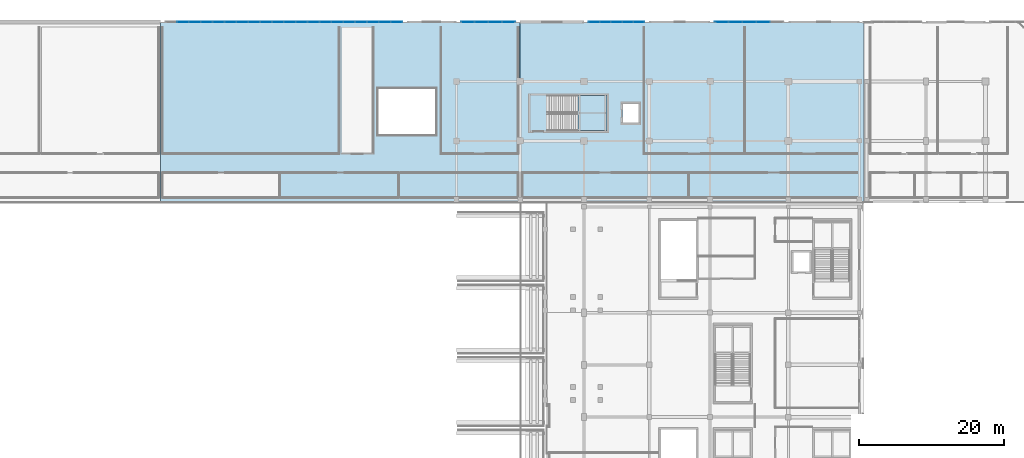
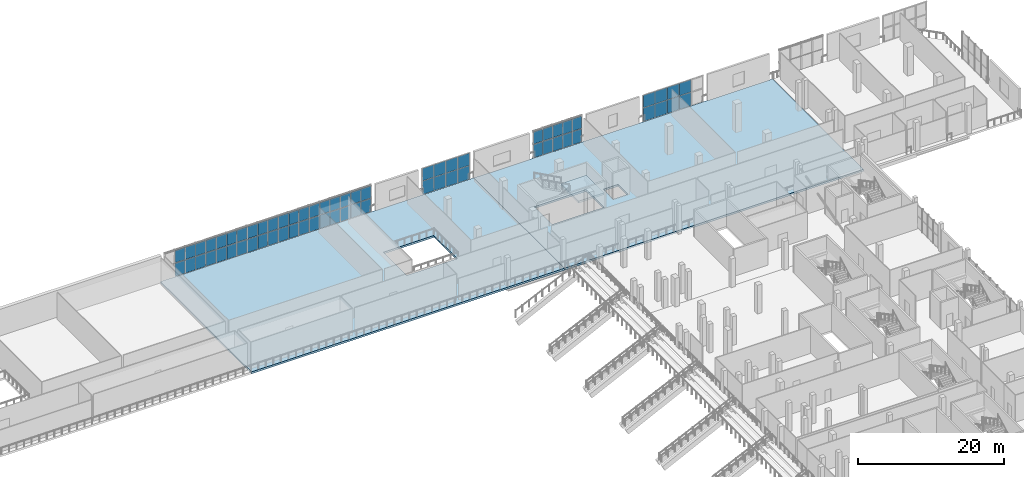
# One storey, part 67 of 129: 64 plates, 3 slabs, 5 elements without a shape of their own.
"""IFC4 building model written with IfcOpenShell, lengths in metres."""

import ifcopenshell
import ifcopenshell.guid

model = None  # the IFC model being written
_history = None  # IfcOwnerHistory: only IFC2X3 demands one
_inside = {}  # id of a spatial element -> (the spatial element, [elements in it])
_under = {}  # id of a project, library or spatial element -> (it, [spatial elements below it])
_declared = {}  # id of a project -> (the project, [libraries it declares])
_typed = {}  # id of a type object -> (the type object, [elements of that type])
_made_of = {}  # id of a material, layer set ... -> (it, [elements and type objects made of it])


def new_model(schema):
    """Start an empty IFC model of exactly this schema.

    Asked for "IFC4X3", IfcOpenShell would pick the latest addendum, in which some entities
    have other attributes; the version numbers below select the first issue.
    IFC2X3 requires an IfcOwnerHistory on every rooted entity: one is made here for all.
    """
    global model, _history
    if schema == "IFC4X3":
        model = ifcopenshell.file(schema_version=(4, 3, 0, 0))
    else:
        model = ifcopenshell.file(schema=schema)
    _inside.clear()
    _under.clear()
    _declared.clear()
    _typed.clear()
    _made_of.clear()
    _history = None
    if model.schema == "IFC2X3":
        org = make("IfcOrganization", Name="unknown")
        user = make(
            "IfcPersonAndOrganization",
            ThePerson=make("IfcPerson", FamilyName="unknown"),
            TheOrganization=org,
        )
        app = make(
            "IfcApplication",
            ApplicationDeveloper=org,
            Version="unknown",
            ApplicationFullName="unknown",
            ApplicationIdentifier="unknown",
        )
        _history = make(
            "IfcOwnerHistory",
            OwningUser=user,
            OwningApplication=app,
            ChangeAction="ADDED",
            CreationDate=0,
        )
    return model


def make(cls, **values):
    """One entity of the class cls with the attributes given. An attribute that is None is left unset."""
    return model.create_entity(
        cls, **{name: value for name, value in values.items() if value is not None}
    )


def rooted(cls, **values):
    """An entity with a GlobalId (a new one), such as an element, a storey or a relation."""
    return make(cls, GlobalId=ifcopenshell.guid.new(), OwnerHistory=_history, **values)


def si_unit(unit_type, name, prefix=None):
    """IfcSIUnit, for example si_unit("LENGTHUNIT", "METRE", prefix="MILLI")."""
    return make("IfcSIUnit", UnitType=unit_type, Prefix=prefix, Name=name)


def assignment(units):
    """IfcUnitAssignment: the units of a project."""
    return None if units is None else make("IfcUnitAssignment", Units=units)


def point(xyz):
    """IfcCartesianPoint."""
    return None if xyz is None else make("IfcCartesianPoint", Coordinates=xyz)


def direction(xyz):
    """IfcDirection."""
    return None if xyz is None else make("IfcDirection", DirectionRatios=xyz)


def frame(location, z_axis=None, x_axis=None):
    """IfcAxis2Placement3D, a coordinate frame: its origin and axes. An axis left out is left unset."""
    return make(
        "IfcAxis2Placement3D",
        Location=point(location),
        Axis=direction(z_axis),
        RefDirection=direction(x_axis),
    )


def frame_2d(location, x_axis=None):
    """IfcAxis2Placement2D, a coordinate frame in the plane: its origin and x axis."""
    return make(
        "IfcAxis2Placement2D", Location=point(location), RefDirection=direction(x_axis)
    )


def origin():
    """The frame at (0, 0, 0) with its axes left unset."""
    return frame((0.0, 0.0, 0.0))


def origin_2d():
    """The frame at (0, 0) in the plane with its x axis left unset."""
    return frame_2d((0.0, 0.0))


def place(relative_to, where):
    """IfcLocalPlacement: puts the frame where relative to a parent placement (None: the world)."""
    return make(
        "IfcLocalPlacement", PlacementRelTo=relative_to, RelativePlacement=where
    )


def context(
    kind, dimensions, precision=None, world=None, true_north=None, identifier=None
):
    """IfcGeometricRepresentationContext, for example the 3D "Model" context."""
    return make(
        "IfcGeometricRepresentationContext",
        ContextIdentifier=identifier,
        ContextType=kind,
        CoordinateSpaceDimension=dimensions,
        Precision=precision,
        WorldCoordinateSystem=world,
        TrueNorth=true_north,
    )


def subcontext(parent, identifier, kind, view, scale=None):
    """IfcGeometricRepresentationSubContext, for example "Body" below "Model"."""
    return make(
        "IfcGeometricRepresentationSubContext",
        ContextIdentifier=identifier,
        ContextType=kind,
        ParentContext=parent,
        TargetScale=scale,
        TargetView=view,
    )


def project(units=None, contexts=None):
    """IfcProject with its units and contexts."""
    return rooted(
        "IfcProject",
        Name="project",
        RepresentationContexts=contexts,
        UnitsInContext=assignment(units),
    )


def spatial(cls, under=None, at=None, **own):
    """A site, building, storey or space (cls), placed at a placement, below another one or the project."""
    s = rooted(cls, ObjectPlacement=at, **own)
    if under is not None:
        _under.setdefault(under.id(), (under, []))[1].append(s)
    return s


def polyline(points):
    """IfcPolyline through the points."""
    return make("IfcPolyline", Points=[point(p) for p in points])


def profile(cls, at=None, kind="AREA", **sizes):
    """A parametric profile (cls). Its sizes go by their IFC names, for example OverallWidth=200.0."""
    return make(cls, ProfileType=kind, Position=at, **sizes)


def rectangle(**sizes):
    """IfcRectangleProfileDef."""
    return profile("IfcRectangleProfileDef", **sizes)


def outline(outer, holes=None, kind="AREA"):
    """IfcArbitraryClosedProfileDef: a profile drawn as a closed curve; with holes, ...WithVoids."""
    if holes is None:
        return make("IfcArbitraryClosedProfileDef", ProfileType=kind, OuterCurve=outer)
    return make(
        "IfcArbitraryProfileDefWithVoids",
        ProfileType=kind,
        OuterCurve=outer,
        InnerCurves=holes,
    )


def extrude(swept, where, along, depth):
    """IfcExtrudedAreaSolid: the profile swept, set in the frame where, extruded along a direction by depth."""
    return make(
        "IfcExtrudedAreaSolid",
        SweptArea=swept,
        Position=where,
        ExtrudedDirection=direction(along),
        Depth=depth,
    )


def shape(context_of_items, identifier, shape_type, items):
    """IfcShapeRepresentation: the items that make up one representation, for example the "Body"."""
    return make(
        "IfcShapeRepresentation",
        ContextOfItems=context_of_items,
        RepresentationIdentifier=identifier,
        RepresentationType=shape_type,
        Items=items,
    )


def material(Name=None, Category=None):
    """IfcMaterial."""
    return make("IfcMaterial", Name=Name, Category=Category)


def layer(
    of_material, thickness, ventilated=None, Name=None, Category=None, Priority=None
):
    """IfcMaterialLayer: one layer of a wall or slab, of a material (None: an air gap)."""
    return make(
        "IfcMaterialLayer",
        Material=of_material,
        LayerThickness=thickness,
        IsVentilated=ventilated,
        Name=Name,
        Category=Category,
        Priority=Priority,
    )


def layer_set(layers, Name=None):
    """IfcMaterialLayerSet."""
    return make("IfcMaterialLayerSet", MaterialLayers=layers, LayerSetName=Name)


def made_of(thing, what):
    """Note that an element or type object is made of a material, layer set ...; save() writes the relation."""
    if what is not None:
        _made_of.setdefault(what.id(), (what, []))[1].append(thing)
    return thing


def type_object(cls, material=None, **own):
    """A type object (cls), such as IfcWallType, which elements share."""
    return made_of(rooted(cls, **own), material)


def element(
    cls,
    number,
    at=None,
    inside=None,
    cuts=None,
    type_object=None,
    material=None,
    context=None,
    identifier="Body",
    shape_type=None,
    held_by="IfcProductDefinitionShape",
    body=None,
    shapes=None,
    **own,
):
    """One element of the class cls, such as IfcWall. Its Tag is "e" and its number.

    at: its placement. inside: the storey or other place that contains it. cuts: it is an
    opening in that element (IfcRelVoidsElement). A single representation is given by context,
    identifier, shape_type and body (its items); several are given by shapes. held_by: the class
    of the entity that holds the representations. save() writes the other relations.
    """
    e = rooted(cls, Tag="e%d" % number, ObjectPlacement=at, **own)
    if body is not None:
        shapes = [shape(context, identifier, shape_type, body)]
    if shapes is not None:
        e.Representation = make(held_by, Representations=shapes)
    if inside is not None:
        _inside.setdefault(inside.id(), (inside, []))[1].append(e)
    if cuts is not None:
        rooted(
            "IfcRelVoidsElement", RelatingBuildingElement=cuts, RelatedOpeningElement=e
        )
    if type_object is not None:
        _typed.setdefault(type_object.id(), (type_object, []))[1].append(e)
    return made_of(e, material)


def aggregate(whole, parts):
    """IfcRelAggregates: a whole, such as a stair, and the parts it consists of."""
    return rooted("IfcRelAggregates", RelatingObject=whole, RelatedObjects=parts)


def save(model, path):
    """Write the relations noted so far, then the file.

    IfcRelAggregates (storeys below a building ...), IfcRelContainedInSpatialStructure (elements
    in a storey), IfcRelDefinesByType, IfcRelAssociatesMaterial and IfcRelDeclares: one each for
    every whole, place, type object, material and project.
    """
    for whole, parts in _under.values():
        aggregate(whole, parts)
    for where, things in _inside.values():
        rooted(
            "IfcRelContainedInSpatialStructure",
            RelatedElements=things,
            RelatingStructure=where,
        )
    for kind, things in _typed.values():
        rooted("IfcRelDefinesByType", RelatedObjects=things, RelatingType=kind)
    for what, things in _made_of.values():
        rooted("IfcRelAssociatesMaterial", RelatedObjects=things, RelatingMaterial=what)
    for by, libraries in _declared.values():
        rooted("IfcRelDeclares", RelatingContext=by, RelatedDefinitions=libraries)
    model.write(path)


model = new_model("IFC4")

# Units and contexts
model_context = context("Model", 3, precision=1e-05, world=origin(), true_north=direction((0.0, 1.0)))
body_context = subcontext(model_context, "Body", "Model", "MODEL_VIEW")
ifc_project = project(units=[si_unit("LENGTHUNIT", "METRE"), si_unit("AREAUNIT", "SQUARE_METRE"), si_unit("VOLUMEUNIT", "CUBIC_METRE"), si_unit("PLANEANGLEUNIT", "RADIAN"), si_unit("MASSUNIT", "GRAM", prefix="KILO")], contexts=[model_context])

# Site, building, storey
site_placement = place(None, origin())
site = spatial("IfcSite", under=ifc_project, at=site_placement, CompositionType="ELEMENT")
building_placement = place(site_placement, origin())
building = spatial("IfcBuilding", under=site, at=building_placement, Name="Koshinbarg Plaza Stadium", CompositionType="ELEMENT")
storey_placement = place(building_placement, frame((0.0, 0.0, 5.39990234375)))
storey = spatial("IfcBuildingStorey", under=building, at=storey_placement, Name="L01", CompositionType="ELEMENT", Elevation=5.39990234375)

# Curtain wall, plates
ifc_material_1 = material(Name="Thermally broken anodised aluminium and low-E double glazing", Category="aluminium")
curtain_wall_type_1 = type_object("IfcCurtainWallType", Name="CW-SYS-15", PredefinedType="NOTDEFINED", material=ifc_material_1)
curtain_wall_1_placement = place(storey_placement, origin())
curtain_wall_1 = element("IfcCurtainWall", 1, at=curtain_wall_1_placement, inside=storey, type_object=curtain_wall_type_1, Name="L01 unitised curtain wall CW-L01-014", PredefinedType="NOTDEFINED")
ifc_material_2 = material(Name="Solar-control low-E double glazing unit", Category="glass")
ifc_layer_1 = layer(ifc_material_2, 0.028076171875)
ifc_layer_set_1 = layer_set([ifc_layer_1], Name="Solar-control low-E double glazing unit")
plate_type_1 = type_object("IfcPlateType", Name="CW-PNL-28", PredefinedType="CURTAIN_PANEL", material=ifc_layer_set_1)
plate_1_placement = place(storey_placement, frame((125.076904296875, 152.0, 0.06005859375), z_axis=(0.0, 0.0, 1.0), x_axis=(1.0, 0.0, 0.0)))
plate_1 = element("IfcPlate", 2, at=plate_1_placement, type_object=plate_type_1, Name="CW15 panel 2.1", PredefinedType="CURTAIN_PANEL", context=body_context, shape_type="SweptSolid", body=[
    extrude(rectangle(XDim=1.577880859375, YDim=0.028076171875, at=origin_2d()), origin(), (0.0, 0.0, 1.0), 2.239501953125),
])
plate_2_placement = place(storey_placement, frame((125.076904296875, 152.0, 2.35986328125), z_axis=(0.0, 0.0, 1.0), x_axis=(1.0, 0.0, 0.0)))
plate_2 = element("IfcPlate", 3, at=plate_2_placement, type_object=plate_type_1, Name="CW15 panel 2.2", PredefinedType="CURTAIN_PANEL", context=body_context, shape_type="SweptSolid", body=[
    extrude(rectangle(XDim=1.577880859375, YDim=0.028076171875, at=origin_2d()), origin(), (0.0, 0.0, 1.0), 2.060302734375),
])
plate_3_placement = place(storey_placement, frame((126.715087890625, 152.0, 0.06005859375), z_axis=(0.0, 0.0, 1.0), x_axis=(1.0, 0.0, 0.0)))
plate_3 = element("IfcPlate", 4, at=plate_3_placement, type_object=plate_type_1, Name="CW15 panel 3.1", PredefinedType="CURTAIN_PANEL", context=body_context, shape_type="SweptSolid", body=[
    extrude(rectangle(XDim=1.577880859375, YDim=0.028076171875, at=origin_2d()), origin(), (0.0, 0.0, 1.0), 2.239501953125),
])
plate_4_placement = place(storey_placement, frame((126.715087890625, 152.0, 2.35986328125), z_axis=(0.0, 0.0, 1.0), x_axis=(1.0, 0.0, 0.0)))
plate_4 = element("IfcPlate", 5, at=plate_4_placement, type_object=plate_type_1, Name="CW15 panel 3.2", PredefinedType="CURTAIN_PANEL", context=body_context, shape_type="SweptSolid", body=[
    extrude(rectangle(XDim=1.577880859375, YDim=0.028076171875, at=origin_2d()), origin(), (0.0, 0.0, 1.0), 2.060302734375),
])
plate_5_placement = place(storey_placement, frame((128.35302734375, 152.0, 0.06005859375), z_axis=(0.0, 0.0, 1.0), x_axis=(1.0, 0.0, 0.0)))
plate_5 = element("IfcPlate", 6, at=plate_5_placement, type_object=plate_type_1, Name="CW15 panel 4.1", PredefinedType="CURTAIN_PANEL", context=body_context, shape_type="SweptSolid", body=[
    extrude(rectangle(XDim=1.577880859375, YDim=0.028076171875, at=origin_2d()), origin(), (0.0, 0.0, 1.0), 2.239501953125),
])
plate_6_placement = place(storey_placement, frame((128.35302734375, 152.0, 2.35986328125), z_axis=(0.0, 0.0, 1.0), x_axis=(1.0, 0.0, 0.0)))
plate_6 = element("IfcPlate", 7, at=plate_6_placement, type_object=plate_type_1, Name="CW15 panel 4.2", PredefinedType="CURTAIN_PANEL", context=body_context, shape_type="SweptSolid", body=[
    extrude(rectangle(XDim=1.577880859375, YDim=0.028076171875, at=origin_2d()), origin(), (0.0, 0.0, 1.0), 2.060302734375),
])
plate_7_placement = place(storey_placement, frame((129.990966796875, 152.0, 0.06005859375), z_axis=(0.0, 0.0, 1.0), x_axis=(1.0, 0.0, 0.0)))
plate_7 = element("IfcPlate", 8, at=plate_7_placement, type_object=plate_type_1, Name="CW15 panel 5.1", PredefinedType="CURTAIN_PANEL", context=body_context, shape_type="SweptSolid", body=[
    extrude(rectangle(XDim=1.577880859375, YDim=0.028076171875, at=origin_2d()), origin(), (0.0, 0.0, 1.0), 2.239501953125),
])
plate_8_placement = place(storey_placement, frame((129.990966796875, 152.0, 2.35986328125), z_axis=(0.0, 0.0, 1.0), x_axis=(1.0, 0.0, 0.0)))
plate_8 = element("IfcPlate", 9, at=plate_8_placement, type_object=plate_type_1, Name="CW15 panel 5.2", PredefinedType="CURTAIN_PANEL", context=body_context, shape_type="SweptSolid", body=[
    extrude(rectangle(XDim=1.577880859375, YDim=0.028076171875, at=origin_2d()), origin(), (0.0, 0.0, 1.0), 2.060302734375),
])
plate_9_placement = place(storey_placement, frame((131.62890625, 152.0, 0.06005859375), z_axis=(0.0, 0.0, 1.0), x_axis=(1.0, 0.0, 0.0)))
plate_9 = element("IfcPlate", 10, at=plate_9_placement, type_object=plate_type_1, Name="CW15 panel 6.1", PredefinedType="CURTAIN_PANEL", context=body_context, shape_type="SweptSolid", body=[
    extrude(rectangle(XDim=1.577880859375, YDim=0.028076171875, at=origin_2d()), origin(), (0.0, 0.0, 1.0), 2.239501953125),
])
plate_10_placement = place(storey_placement, frame((131.62890625, 152.0, 2.35986328125), z_axis=(0.0, 0.0, 1.0), x_axis=(1.0, 0.0, 0.0)))
plate_10 = element("IfcPlate", 11, at=plate_10_placement, type_object=plate_type_1, Name="CW15 panel 6.2", PredefinedType="CURTAIN_PANEL", context=body_context, shape_type="SweptSolid", body=[
    extrude(rectangle(XDim=1.577880859375, YDim=0.028076171875, at=origin_2d()), origin(), (0.0, 0.0, 1.0), 2.060302734375),
])
plate_11_placement = place(storey_placement, frame((133.26708984375, 152.0, 0.06005859375), z_axis=(0.0, 0.0, 1.0), x_axis=(1.0, 0.0, 0.0)))
plate_11 = element("IfcPlate", 12, at=plate_11_placement, type_object=plate_type_1, Name="CW15 panel 7.1", PredefinedType="CURTAIN_PANEL", context=body_context, shape_type="SweptSolid", body=[
    extrude(rectangle(XDim=1.577880859375, YDim=0.028076171875, at=origin_2d()), origin(), (0.0, 0.0, 1.0), 2.239501953125),
])
plate_12_placement = place(storey_placement, frame((133.26708984375, 152.0, 2.35986328125), z_axis=(0.0, 0.0, 1.0), x_axis=(1.0, 0.0, 0.0)))
plate_12 = element("IfcPlate", 13, at=plate_12_placement, type_object=plate_type_1, Name="CW15 panel 7.2", PredefinedType="CURTAIN_PANEL", context=body_context, shape_type="SweptSolid", body=[
    extrude(rectangle(XDim=1.577880859375, YDim=0.028076171875, at=origin_2d()), origin(), (0.0, 0.0, 1.0), 2.060302734375),
])
plate_13_placement = place(storey_placement, frame((134.905029296875, 152.0, 0.06005859375), z_axis=(0.0, 0.0, 1.0), x_axis=(1.0, 0.0, 0.0)))
plate_13 = element("IfcPlate", 14, at=plate_13_placement, type_object=plate_type_1, Name="CW15 panel 8.1", PredefinedType="CURTAIN_PANEL", context=body_context, shape_type="SweptSolid", body=[
    extrude(rectangle(XDim=1.577880859375, YDim=0.028076171875, at=origin_2d()), origin(), (0.0, 0.0, 1.0), 2.239501953125),
])
plate_14_placement = place(storey_placement, frame((134.905029296875, 152.0, 2.35986328125), z_axis=(0.0, 0.0, 1.0), x_axis=(1.0, 0.0, 0.0)))
plate_14 = element("IfcPlate", 15, at=plate_14_placement, type_object=plate_type_1, Name="CW15 panel 8.2", PredefinedType="CURTAIN_PANEL", context=body_context, shape_type="SweptSolid", body=[
    extrude(rectangle(XDim=1.577880859375, YDim=0.028076171875, at=origin_2d()), origin(), (0.0, 0.0, 1.0), 2.060302734375),
])
plate_15_placement = place(storey_placement, frame((136.54296875, 152.0, 0.06005859375), z_axis=(0.0, 0.0, 1.0), x_axis=(1.0, 0.0, 0.0)))
plate_15 = element("IfcPlate", 16, at=plate_15_placement, type_object=plate_type_1, Name="CW15 panel 9.1", PredefinedType="CURTAIN_PANEL", context=body_context, shape_type="SweptSolid", body=[
    extrude(rectangle(XDim=1.577880859375, YDim=0.028076171875, at=origin_2d()), origin(), (0.0, 0.0, 1.0), 2.239501953125),
])
plate_16_placement = place(storey_placement, frame((136.54296875, 152.0, 2.35986328125), z_axis=(0.0, 0.0, 1.0), x_axis=(1.0, 0.0, 0.0)))
plate_16 = element("IfcPlate", 17, at=plate_16_placement, type_object=plate_type_1, Name="CW15 panel 9.2", PredefinedType="CURTAIN_PANEL", context=body_context, shape_type="SweptSolid", body=[
    extrude(rectangle(XDim=1.577880859375, YDim=0.028076171875, at=origin_2d()), origin(), (0.0, 0.0, 1.0), 2.060302734375),
])
plate_17_placement = place(storey_placement, frame((138.180908203125, 152.0, 0.06005859375), z_axis=(0.0, 0.0, 1.0), x_axis=(1.0, 0.0, 0.0)))
plate_17 = element("IfcPlate", 18, at=plate_17_placement, type_object=plate_type_1, Name="CW15 panel 10.1", PredefinedType="CURTAIN_PANEL", context=body_context, shape_type="SweptSolid", body=[
    extrude(rectangle(XDim=1.577880859375, YDim=0.028076171875, at=origin_2d()), origin(), (0.0, 0.0, 1.0), 2.239501953125),
])
plate_18_placement = place(storey_placement, frame((138.180908203125, 152.0, 2.35986328125), z_axis=(0.0, 0.0, 1.0), x_axis=(1.0, 0.0, 0.0)))
plate_18 = element("IfcPlate", 19, at=plate_18_placement, type_object=plate_type_1, Name="CW15 panel 10.2", PredefinedType="CURTAIN_PANEL", context=body_context, shape_type="SweptSolid", body=[
    extrude(rectangle(XDim=1.577880859375, YDim=0.028076171875, at=origin_2d()), origin(), (0.0, 0.0, 1.0), 2.060302734375),
])
plate_19_placement = place(storey_placement, frame((139.819091796875, 152.0, 0.06005859375), z_axis=(0.0, 0.0, 1.0), x_axis=(1.0, 0.0, 0.0)))
plate_19 = element("IfcPlate", 20, at=plate_19_placement, type_object=plate_type_1, Name="CW15 panel 11.1", PredefinedType="CURTAIN_PANEL", context=body_context, shape_type="SweptSolid", body=[
    extrude(rectangle(XDim=1.577880859375, YDim=0.028076171875, at=origin_2d()), origin(), (0.0, 0.0, 1.0), 2.239501953125),
])
plate_20_placement = place(storey_placement, frame((139.819091796875, 152.0, 2.35986328125), z_axis=(0.0, 0.0, 1.0), x_axis=(1.0, 0.0, 0.0)))
plate_20 = element("IfcPlate", 21, at=plate_20_placement, type_object=plate_type_1, Name="CW15 panel 11.2", PredefinedType="CURTAIN_PANEL", context=body_context, shape_type="SweptSolid", body=[
    extrude(rectangle(XDim=1.577880859375, YDim=0.028076171875, at=origin_2d()), origin(), (0.0, 0.0, 1.0), 2.060302734375),
])
plate_21_placement = place(storey_placement, frame((141.45703125, 152.0, 0.06005859375), z_axis=(0.0, 0.0, 1.0), x_axis=(1.0, 0.0, 0.0)))
plate_21 = element("IfcPlate", 22, at=plate_21_placement, type_object=plate_type_1, Name="CW15 panel 12.1", PredefinedType="CURTAIN_PANEL", context=body_context, shape_type="SweptSolid", body=[
    extrude(rectangle(XDim=1.577880859375, YDim=0.028076171875, at=origin_2d()), origin(), (0.0, 0.0, 1.0), 2.239501953125),
])
plate_22_placement = place(storey_placement, frame((141.45703125, 152.0, 2.35986328125), z_axis=(0.0, 0.0, 1.0), x_axis=(1.0, 0.0, 0.0)))
plate_22 = element("IfcPlate", 23, at=plate_22_placement, type_object=plate_type_1, Name="CW15 panel 12.2", PredefinedType="CURTAIN_PANEL", context=body_context, shape_type="SweptSolid", body=[
    extrude(rectangle(XDim=1.577880859375, YDim=0.028076171875, at=origin_2d()), origin(), (0.0, 0.0, 1.0), 2.060302734375),
])
plate_23_placement = place(storey_placement, frame((143.094970703125, 152.0, 0.06005859375), z_axis=(0.0, 0.0, 1.0), x_axis=(1.0, 0.0, 0.0)))
plate_23 = element("IfcPlate", 24, at=plate_23_placement, type_object=plate_type_1, Name="CW15 panel 13.1", PredefinedType="CURTAIN_PANEL", context=body_context, shape_type="SweptSolid", body=[
    extrude(rectangle(XDim=1.577880859375, YDim=0.028076171875, at=origin_2d()), origin(), (0.0, 0.0, 1.0), 2.239501953125),
])
plate_24_placement = place(storey_placement, frame((143.094970703125, 152.0, 2.35986328125), z_axis=(0.0, 0.0, 1.0), x_axis=(1.0, 0.0, 0.0)))
plate_24 = element("IfcPlate", 25, at=plate_24_placement, type_object=plate_type_1, Name="CW15 panel 13.2", PredefinedType="CURTAIN_PANEL", context=body_context, shape_type="SweptSolid", body=[
    extrude(rectangle(XDim=1.577880859375, YDim=0.028076171875, at=origin_2d()), origin(), (0.0, 0.0, 1.0), 2.060302734375),
])
plate_25_placement = place(storey_placement, frame((144.73291015625, 152.0, 0.06005859375), z_axis=(0.0, 0.0, 1.0), x_axis=(1.0, 0.0, 0.0)))
plate_25 = element("IfcPlate", 26, at=plate_25_placement, type_object=plate_type_1, Name="CW15 panel 14.1", PredefinedType="CURTAIN_PANEL", context=body_context, shape_type="SweptSolid", body=[
    extrude(rectangle(XDim=1.577880859375, YDim=0.028076171875, at=origin_2d()), origin(), (0.0, 0.0, 1.0), 2.239501953125),
])
plate_26_placement = place(storey_placement, frame((144.73291015625, 152.0, 2.35986328125), z_axis=(0.0, 0.0, 1.0), x_axis=(1.0, 0.0, 0.0)))
plate_26 = element("IfcPlate", 27, at=plate_26_placement, type_object=plate_type_1, Name="CW15 panel 14.2", PredefinedType="CURTAIN_PANEL", context=body_context, shape_type="SweptSolid", body=[
    extrude(rectangle(XDim=1.577880859375, YDim=0.028076171875, at=origin_2d()), origin(), (0.0, 0.0, 1.0), 2.060302734375),
])
plate_27_placement = place(storey_placement, frame((146.37109375, 152.0, 0.06005859375), z_axis=(0.0, 0.0, 1.0), x_axis=(1.0, 0.0, 0.0)))
plate_27 = element("IfcPlate", 28, at=plate_27_placement, type_object=plate_type_1, Name="CW15 panel 15.1", PredefinedType="CURTAIN_PANEL", context=body_context, shape_type="SweptSolid", body=[
    extrude(rectangle(XDim=1.577880859375, YDim=0.028076171875, at=origin_2d()), origin(), (0.0, 0.0, 1.0), 2.239501953125),
])
plate_28_placement = place(storey_placement, frame((146.37109375, 152.0, 2.35986328125), z_axis=(0.0, 0.0, 1.0), x_axis=(1.0, 0.0, 0.0)))
plate_28 = element("IfcPlate", 29, at=plate_28_placement, type_object=plate_type_1, Name="CW15 panel 15.2", PredefinedType="CURTAIN_PANEL", context=body_context, shape_type="SweptSolid", body=[
    extrude(rectangle(XDim=1.577880859375, YDim=0.028076171875, at=origin_2d()), origin(), (0.0, 0.0, 1.0), 2.060302734375),
])
plate_29_placement = place(storey_placement, frame((148.009033203125, 152.0, 0.06005859375), z_axis=(0.0, 0.0, 1.0), x_axis=(1.0, 0.0, 0.0)))
plate_29 = element("IfcPlate", 30, at=plate_29_placement, type_object=plate_type_1, Name="CW15 panel 16.1", PredefinedType="CURTAIN_PANEL", context=body_context, shape_type="SweptSolid", body=[
    extrude(rectangle(XDim=1.577880859375, YDim=0.028076171875, at=origin_2d()), origin(), (0.0, 0.0, 1.0), 2.239501953125),
])
plate_30_placement = place(storey_placement, frame((148.009033203125, 152.0, 2.35986328125), z_axis=(0.0, 0.0, 1.0), x_axis=(1.0, 0.0, 0.0)))
plate_30 = element("IfcPlate", 31, at=plate_30_placement, type_object=plate_type_1, Name="CW15 panel 16.2", PredefinedType="CURTAIN_PANEL", context=body_context, shape_type="SweptSolid", body=[
    extrude(rectangle(XDim=1.577880859375, YDim=0.028076171875, at=origin_2d()), origin(), (0.0, 0.0, 1.0), 2.060302734375),
])
plate_31_placement = place(storey_placement, frame((149.64697265625, 152.0, 0.06005859375), z_axis=(0.0, 0.0, 1.0), x_axis=(1.0, 0.0, 0.0)))
plate_31 = element("IfcPlate", 32, at=plate_31_placement, type_object=plate_type_1, Name="CW15 panel 17.1", PredefinedType="CURTAIN_PANEL", context=body_context, shape_type="SweptSolid", body=[
    extrude(rectangle(XDim=1.577880859375, YDim=0.028076171875, at=origin_2d()), origin(), (0.0, 0.0, 1.0), 2.239501953125),
])
plate_32_placement = place(storey_placement, frame((149.64697265625, 152.0, 2.35986328125), z_axis=(0.0, 0.0, 1.0), x_axis=(1.0, 0.0, 0.0)))
plate_32 = element("IfcPlate", 33, at=plate_32_placement, type_object=plate_type_1, Name="CW15 panel 17.2", PredefinedType="CURTAIN_PANEL", context=body_context, shape_type="SweptSolid", body=[
    extrude(rectangle(XDim=1.577880859375, YDim=0.028076171875, at=origin_2d()), origin(), (0.0, 0.0, 1.0), 2.060302734375),
])
plate_33_placement = place(storey_placement, frame((151.284912109375, 152.0, 0.06005859375), z_axis=(0.0, 0.0, 1.0), x_axis=(1.0, 0.0, 0.0)))
plate_33 = element("IfcPlate", 34, at=plate_33_placement, type_object=plate_type_1, Name="CW15 panel 18.1", PredefinedType="CURTAIN_PANEL", context=body_context, shape_type="SweptSolid", body=[
    extrude(rectangle(XDim=1.577880859375, YDim=0.028076171875, at=origin_2d()), origin(), (0.0, 0.0, 1.0), 2.239501953125),
])
plate_34_placement = place(storey_placement, frame((151.284912109375, 152.0, 2.35986328125), z_axis=(0.0, 0.0, 1.0), x_axis=(1.0, 0.0, 0.0)))
plate_34 = element("IfcPlate", 35, at=plate_34_placement, type_object=plate_type_1, Name="CW15 panel 18.2", PredefinedType="CURTAIN_PANEL", context=body_context, shape_type="SweptSolid", body=[
    extrude(rectangle(XDim=1.577880859375, YDim=0.028076171875, at=origin_2d()), origin(), (0.0, 0.0, 1.0), 2.060302734375),
])
plate_35_placement = place(storey_placement, frame((152.923095703125, 152.0, 0.06005859375), z_axis=(0.0, 0.0, 1.0), x_axis=(1.0, 0.0, 0.0)))
plate_35 = element("IfcPlate", 36, at=plate_35_placement, type_object=plate_type_1, Name="CW15 panel 19.1", PredefinedType="CURTAIN_PANEL", context=body_context, shape_type="SweptSolid", body=[
    extrude(rectangle(XDim=1.577880859375, YDim=0.028076171875, at=origin_2d()), origin(), (0.0, 0.0, 1.0), 2.239501953125),
])
plate_36_placement = place(storey_placement, frame((152.923095703125, 152.0, 2.35986328125), z_axis=(0.0, 0.0, 1.0), x_axis=(1.0, 0.0, 0.0)))
plate_36 = element("IfcPlate", 37, at=plate_36_placement, type_object=plate_type_1, Name="CW15 panel 19.2", PredefinedType="CURTAIN_PANEL", context=body_context, shape_type="SweptSolid", body=[
    extrude(rectangle(XDim=1.577880859375, YDim=0.028076171875, at=origin_2d()), origin(), (0.0, 0.0, 1.0), 2.060302734375),
])
plate_37_placement = place(storey_placement, frame((154.5458984375, 152.0, 0.06005859375), z_axis=(0.0, 0.0, 1.0), x_axis=(1.0, 0.0, 0.0)))
plate_37 = element("IfcPlate", 38, at=plate_37_placement, type_object=plate_type_1, Name="CW15 panel 20.1", PredefinedType="CURTAIN_PANEL", context=body_context, shape_type="SweptSolid", body=[
    extrude(rectangle(XDim=1.548095703125, YDim=0.028076171875, at=origin_2d()), origin(), (0.0, 0.0, 1.0), 2.239501953125),
])
plate_38_placement = place(storey_placement, frame((154.5458984375, 152.0, 2.35986328125), z_axis=(0.0, 0.0, 1.0), x_axis=(1.0, 0.0, 0.0)))
plate_38 = element("IfcPlate", 39, at=plate_38_placement, type_object=plate_type_1, Name="CW15 panel 20.2", PredefinedType="CURTAIN_PANEL", context=body_context, shape_type="SweptSolid", body=[
    extrude(rectangle(XDim=1.548095703125, YDim=0.028076171875, at=origin_2d()), origin(), (0.0, 0.0, 1.0), 2.060302734375),
])
aggregate(curtain_wall_1, [plate_1, plate_2, plate_3, plate_4, plate_5, plate_6, plate_7, plate_8, plate_9, plate_10, plate_11, plate_12, plate_13, plate_14, plate_15, plate_16, plate_17, plate_18, plate_19, plate_20, plate_21, plate_22, plate_23, plate_24, plate_25, plate_26, plate_27, plate_28, plate_29, plate_30, plate_31, plate_32, plate_33, plate_34, plate_35, plate_36, plate_37, plate_38])

curtain_wall_type_2 = type_object("IfcCurtainWallType", Name="CW-SYS-01", PredefinedType="NOTDEFINED", material=ifc_material_1)
curtain_wall_2_placement = place(storey_placement, origin())
curtain_wall_2 = element("IfcCurtainWall", 40, at=curtain_wall_2_placement, inside=storey, type_object=curtain_wall_type_2, Name="L01 unitised curtain wall CW-L01-016", PredefinedType="NOTDEFINED")
plate_39_placement = place(storey_placement, frame((181.81103515625, 152.0, 0.06005859375), z_axis=(0.0, 0.0, 1.0), x_axis=(1.0, 0.0, 0.0)))
plate_39 = element("IfcPlate", 41, at=plate_39_placement, type_object=plate_type_1, Name="CW01 panel 1.1", PredefinedType="CURTAIN_PANEL", context=body_context, shape_type="SweptSolid", body=[
    extrude(rectangle(XDim=1.4619140625, YDim=0.028076171875, at=origin_2d()), origin(), (0.0, 0.0, 1.0), 2.239501953125),
])
plate_40_placement = place(storey_placement, frame((181.81103515625, 152.0, 2.35986328125), z_axis=(0.0, 0.0, 1.0), x_axis=(1.0, 0.0, 0.0)))
plate_40 = element("IfcPlate", 42, at=plate_40_placement, type_object=plate_type_1, Name="CW01 panel 1.2", PredefinedType="CURTAIN_PANEL", context=body_context, shape_type="SweptSolid", body=[
    extrude(rectangle(XDim=1.4619140625, YDim=0.028076171875, at=origin_2d()), origin(), (0.0, 0.0, 1.0), 2.060302734375),
])
plate_41_placement = place(storey_placement, frame((183.347900390625, 152.0, 0.06005859375), z_axis=(0.0, 0.0, 1.0), x_axis=(1.0, 0.0, 0.0)))
plate_41 = element("IfcPlate", 43, at=plate_41_placement, type_object=plate_type_1, Name="CW01 panel 2.1", PredefinedType="CURTAIN_PANEL", context=body_context, shape_type="SweptSolid", body=[
    extrude(rectangle(XDim=1.491943359375, YDim=0.028076171875, at=origin_2d()), origin(), (0.0, 0.0, 1.0), 2.239501953125),
])
plate_42_placement = place(storey_placement, frame((183.347900390625, 152.0, 2.35986328125), z_axis=(0.0, 0.0, 1.0), x_axis=(1.0, 0.0, 0.0)))
plate_42 = element("IfcPlate", 44, at=plate_42_placement, type_object=plate_type_1, Name="CW01 panel 2.2", PredefinedType="CURTAIN_PANEL", context=body_context, shape_type="SweptSolid", body=[
    extrude(rectangle(XDim=1.491943359375, YDim=0.028076171875, at=origin_2d()), origin(), (0.0, 0.0, 1.0), 2.060302734375),
])
plate_43_placement = place(storey_placement, frame((184.89990234375, 152.0, 0.06005859375), z_axis=(0.0, 0.0, 1.0), x_axis=(1.0, 0.0, 0.0)))
plate_43 = element("IfcPlate", 45, at=plate_43_placement, type_object=plate_type_1, Name="CW01 panel 3.1", PredefinedType="CURTAIN_PANEL", context=body_context, shape_type="SweptSolid", body=[
    extrude(rectangle(XDim=1.491943359375, YDim=0.028076171875, at=origin_2d()), origin(), (0.0, 0.0, 1.0), 2.239501953125),
])
plate_44_placement = place(storey_placement, frame((184.89990234375, 152.0, 2.35986328125), z_axis=(0.0, 0.0, 1.0), x_axis=(1.0, 0.0, 0.0)))
plate_44 = element("IfcPlate", 46, at=plate_44_placement, type_object=plate_type_1, Name="CW01 panel 3.2", PredefinedType="CURTAIN_PANEL", context=body_context, shape_type="SweptSolid", body=[
    extrude(rectangle(XDim=1.491943359375, YDim=0.028076171875, at=origin_2d()), origin(), (0.0, 0.0, 1.0), 2.060302734375),
])
plate_45_placement = place(storey_placement, frame((186.451904296875, 152.0, 0.06005859375), z_axis=(0.0, 0.0, 1.0), x_axis=(1.0, 0.0, 0.0)))
plate_45 = element("IfcPlate", 47, at=plate_45_placement, type_object=plate_type_1, Name="CW01 panel 4.1", PredefinedType="CURTAIN_PANEL", context=body_context, shape_type="SweptSolid", body=[
    extrude(rectangle(XDim=1.491943359375, YDim=0.028076171875, at=origin_2d()), origin(), (0.0, 0.0, 1.0), 2.239501953125),
])
plate_46_placement = place(storey_placement, frame((186.451904296875, 152.0, 2.35986328125), z_axis=(0.0, 0.0, 1.0), x_axis=(1.0, 0.0, 0.0)))
plate_46 = element("IfcPlate", 48, at=plate_46_placement, type_object=plate_type_1, Name="CW01 panel 4.2", PredefinedType="CURTAIN_PANEL", context=body_context, shape_type="SweptSolid", body=[
    extrude(rectangle(XDim=1.491943359375, YDim=0.028076171875, at=origin_2d()), origin(), (0.0, 0.0, 1.0), 2.060302734375),
])
plate_47_placement = place(storey_placement, frame((187.989013671875, 152.0, 0.06005859375), z_axis=(0.0, 0.0, 1.0), x_axis=(1.0, 0.0, 0.0)))
plate_47 = element("IfcPlate", 49, at=plate_47_placement, type_object=plate_type_1, Name="CW01 panel 5.1", PredefinedType="CURTAIN_PANEL", context=body_context, shape_type="SweptSolid", body=[
    extrude(rectangle(XDim=1.4619140625, YDim=0.028076171875, at=origin_2d()), origin(), (0.0, 0.0, 1.0), 2.239501953125),
])
plate_48_placement = place(storey_placement, frame((187.989013671875, 152.0, 2.35986328125), z_axis=(0.0, 0.0, 1.0), x_axis=(1.0, 0.0, 0.0)))
plate_48 = element("IfcPlate", 50, at=plate_48_placement, type_object=plate_type_1, Name="CW01 panel 5.2", PredefinedType="CURTAIN_PANEL", context=body_context, shape_type="SweptSolid", body=[
    extrude(rectangle(XDim=1.4619140625, YDim=0.028076171875, at=origin_2d()), origin(), (0.0, 0.0, 1.0), 2.060302734375),
])
aggregate(curtain_wall_2, [plate_39, plate_40, plate_41, plate_42, plate_43, plate_44, plate_45, plate_46, plate_47, plate_48])

curtain_wall_type_3 = type_object("IfcCurtainWallType", Name="CW-SYS-16", PredefinedType="NOTDEFINED", material=ifc_material_1)
curtain_wall_3_placement = place(storey_placement, origin())
curtain_wall_3 = element("IfcCurtainWall", 51, at=curtain_wall_3_placement, inside=storey, type_object=curtain_wall_type_3, Name="L01 unitised curtain wall CW-L01-015", PredefinedType="NOTDEFINED")
ifc_material_3 = material(Name="Acoustic solar-control double glazing unit", Category="glass")
ifc_layer_2 = layer(ifc_material_3, 0.031982421875)
ifc_layer_set_2 = layer_set([ifc_layer_2], Name="Acoustic solar-control double glazing unit")
plate_type_2 = type_object("IfcPlateType", Name="CW-PNL-32", PredefinedType="CURTAIN_PANEL", material=ifc_layer_set_2)
plate_49_placement = place(storey_placement, frame((164.3798828125, 152.0, 0.06005859375), z_axis=(0.0, 0.0, 1.0), x_axis=(1.0, 0.0, 0.0)))
plate_49 = element("IfcPlate", 52, at=plate_49_placement, type_object=plate_type_2, Name="CW16 panel 1.1", PredefinedType="CURTAIN_PANEL", context=body_context, shape_type="SweptSolid", body=[
    extrude(rectangle(XDim=1.800048828125, YDim=0.031982421875, at=origin_2d()), origin(), (0.0, 0.0, 1.0), 2.239501953125),
])
plate_50_placement = place(storey_placement, frame((164.3798828125, 152.0, 2.35986328125), z_axis=(0.0, 0.0, 1.0), x_axis=(1.0, 0.0, 0.0)))
plate_50 = element("IfcPlate", 53, at=plate_50_placement, type_object=plate_type_2, Name="CW16 panel 1.2", PredefinedType="CURTAIN_PANEL", context=body_context, shape_type="SweptSolid", body=[
    extrude(rectangle(XDim=1.800048828125, YDim=0.031982421875, at=origin_2d()), origin(), (0.0, 0.0, 1.0), 2.060302734375),
])
plate_51_placement = place(storey_placement, frame((166.2548828125, 152.0, 0.06005859375), z_axis=(0.0, 0.0, 1.0), x_axis=(1.0, 0.0, 0.0)))
plate_51 = element("IfcPlate", 54, at=plate_51_placement, type_object=plate_type_2, Name="CW16 panel 2.1", PredefinedType="CURTAIN_PANEL", context=body_context, shape_type="SweptSolid", body=[
    extrude(rectangle(XDim=1.830078125, YDim=0.031982421875, at=origin_2d()), origin(), (0.0, 0.0, 1.0), 2.239501953125),
])
plate_52_placement = place(storey_placement, frame((166.2548828125, 152.0, 2.35986328125), z_axis=(0.0, 0.0, 1.0), x_axis=(1.0, 0.0, 0.0)))
plate_52 = element("IfcPlate", 55, at=plate_52_placement, type_object=plate_type_2, Name="CW16 panel 2.2", PredefinedType="CURTAIN_PANEL", context=body_context, shape_type="SweptSolid", body=[
    extrude(rectangle(XDim=1.830078125, YDim=0.031982421875, at=origin_2d()), origin(), (0.0, 0.0, 1.0), 2.060302734375),
])
plate_53_placement = place(storey_placement, frame((168.14501953125, 152.0, 0.06005859375), z_axis=(0.0, 0.0, 1.0), x_axis=(1.0, 0.0, 0.0)))
plate_53 = element("IfcPlate", 56, at=plate_53_placement, type_object=plate_type_2, Name="CW16 panel 3.1", PredefinedType="CURTAIN_PANEL", context=body_context, shape_type="SweptSolid", body=[
    extrude(rectangle(XDim=1.830078125, YDim=0.031982421875, at=origin_2d()), origin(), (0.0, 0.0, 1.0), 2.239501953125),
])
plate_54_placement = place(storey_placement, frame((168.14501953125, 152.0, 2.35986328125), z_axis=(0.0, 0.0, 1.0), x_axis=(1.0, 0.0, 0.0)))
plate_54 = element("IfcPlate", 57, at=plate_54_placement, type_object=plate_type_2, Name="CW16 panel 3.2", PredefinedType="CURTAIN_PANEL", context=body_context, shape_type="SweptSolid", body=[
    extrude(rectangle(XDim=1.830078125, YDim=0.031982421875, at=origin_2d()), origin(), (0.0, 0.0, 1.0), 2.060302734375),
])
plate_55_placement = place(storey_placement, frame((170.02001953125, 152.0, 0.06005859375), z_axis=(0.0, 0.0, 1.0), x_axis=(1.0, 0.0, 0.0)))
plate_55 = element("IfcPlate", 58, at=plate_55_placement, type_object=plate_type_2, Name="CW16 panel 4.1", PredefinedType="CURTAIN_PANEL", context=body_context, shape_type="SweptSolid", body=[
    extrude(rectangle(XDim=1.800048828125, YDim=0.031982421875, at=origin_2d()), origin(), (0.0, 0.0, 1.0), 2.239501953125),
])
plate_56_placement = place(storey_placement, frame((170.02001953125, 152.0, 2.35986328125), z_axis=(0.0, 0.0, 1.0), x_axis=(1.0, 0.0, 0.0)))
plate_56 = element("IfcPlate", 59, at=plate_56_placement, type_object=plate_type_2, Name="CW16 panel 4.2", PredefinedType="CURTAIN_PANEL", context=body_context, shape_type="SweptSolid", body=[
    extrude(rectangle(XDim=1.800048828125, YDim=0.031982421875, at=origin_2d()), origin(), (0.0, 0.0, 1.0), 2.060302734375),
])
aggregate(curtain_wall_3, [plate_49, plate_50, plate_51, plate_52, plate_53, plate_54, plate_55, plate_56])

curtain_wall_type_4 = type_object("IfcCurtainWallType", Name="CW-SYS-02", PredefinedType="NOTDEFINED", material=ifc_material_1)
curtain_wall_4_placement = place(storey_placement, origin())
curtain_wall_4 = element("IfcCurtainWall", 60, at=curtain_wall_4_placement, inside=storey, type_object=curtain_wall_type_4, Name="L01 unitised curtain wall CW-L01-017", PredefinedType="NOTDEFINED")
plate_57_placement = place(storey_placement, frame((199.39111328125, 152.0, 0.06005859375), z_axis=(0.0, 0.0, 1.0), x_axis=(1.0, 0.0, 0.0)))
plate_57 = element("IfcPlate", 61, at=plate_57_placement, type_object=plate_type_2, Name="CW02 panel 1.1", PredefinedType="CURTAIN_PANEL", context=body_context, shape_type="SweptSolid", body=[
    extrude(rectangle(XDim=1.822021484375, YDim=0.031982421875, at=origin_2d()), origin(), (0.0, 0.0, 1.0), 2.239501953125),
])
plate_58_placement = place(storey_placement, frame((199.39111328125, 152.0, 2.35986328125), z_axis=(0.0, 0.0, 1.0), x_axis=(1.0, 0.0, 0.0)))
plate_58 = element("IfcPlate", 62, at=plate_58_placement, type_object=plate_type_2, Name="CW02 panel 1.2", PredefinedType="CURTAIN_PANEL", context=body_context, shape_type="SweptSolid", body=[
    extrude(rectangle(XDim=1.822021484375, YDim=0.031982421875, at=origin_2d()), origin(), (0.0, 0.0, 1.0), 2.060302734375),
])
plate_59_placement = place(storey_placement, frame((201.2880859375, 152.0, 0.06005859375), z_axis=(0.0, 0.0, 1.0), x_axis=(1.0, 0.0, 0.0)))
plate_59 = element("IfcPlate", 63, at=plate_59_placement, type_object=plate_type_2, Name="CW02 panel 2.1", PredefinedType="CURTAIN_PANEL", context=body_context, shape_type="SweptSolid", body=[
    extrude(rectangle(XDim=1.85205078125, YDim=0.031982421875, at=origin_2d()), origin(), (0.0, 0.0, 1.0), 2.239501953125),
])
plate_60_placement = place(storey_placement, frame((201.2880859375, 152.0, 2.35986328125), z_axis=(0.0, 0.0, 1.0), x_axis=(1.0, 0.0, 0.0)))
plate_60 = element("IfcPlate", 64, at=plate_60_placement, type_object=plate_type_2, Name="CW02 panel 2.2", PredefinedType="CURTAIN_PANEL", context=body_context, shape_type="SweptSolid", body=[
    extrude(rectangle(XDim=1.85205078125, YDim=0.031982421875, at=origin_2d()), origin(), (0.0, 0.0, 1.0), 2.060302734375),
])
plate_61_placement = place(storey_placement, frame((203.199951171875, 152.0, 0.06005859375), z_axis=(0.0, 0.0, 1.0), x_axis=(1.0, 0.0, 0.0)))
plate_61 = element("IfcPlate", 65, at=plate_61_placement, type_object=plate_type_2, Name="CW02 panel 3.1", PredefinedType="CURTAIN_PANEL", context=body_context, shape_type="SweptSolid", body=[
    extrude(rectangle(XDim=1.85205078125, YDim=0.031982421875, at=origin_2d()), origin(), (0.0, 0.0, 1.0), 2.239501953125),
])
plate_62_placement = place(storey_placement, frame((203.199951171875, 152.0, 2.35986328125), z_axis=(0.0, 0.0, 1.0), x_axis=(1.0, 0.0, 0.0)))
plate_62 = element("IfcPlate", 66, at=plate_62_placement, type_object=plate_type_2, Name="CW02 panel 3.2", PredefinedType="CURTAIN_PANEL", context=body_context, shape_type="SweptSolid", body=[
    extrude(rectangle(XDim=1.85205078125, YDim=0.031982421875, at=origin_2d()), origin(), (0.0, 0.0, 1.0), 2.060302734375),
])
plate_63_placement = place(storey_placement, frame((205.112060546875, 152.0, 0.06005859375), z_axis=(0.0, 0.0, 1.0), x_axis=(1.0, 0.0, 0.0)))
plate_63 = element("IfcPlate", 67, at=plate_63_placement, type_object=plate_type_2, Name="CW02 panel 4.1", PredefinedType="CURTAIN_PANEL", context=body_context, shape_type="SweptSolid", body=[
    extrude(rectangle(XDim=1.85205078125, YDim=0.031982421875, at=origin_2d()), origin(), (0.0, 0.0, 1.0), 2.239501953125),
])
plate_64_placement = place(storey_placement, frame((205.112060546875, 152.0, 2.35986328125), z_axis=(0.0, 0.0, 1.0), x_axis=(1.0, 0.0, 0.0)))
plate_64 = element("IfcPlate", 68, at=plate_64_placement, type_object=plate_type_2, Name="CW02 panel 4.2", PredefinedType="CURTAIN_PANEL", context=body_context, shape_type="SweptSolid", body=[
    extrude(rectangle(XDim=1.85205078125, YDim=0.031982421875, at=origin_2d()), origin(), (0.0, 0.0, 1.0), 2.060302734375),
])
aggregate(curtain_wall_4, [plate_57, plate_58, plate_59, plate_60, plate_61, plate_62, plate_63, plate_64])

# Slabs
ifc_material_4 = material(Name="Concrete C35/45", Category="concrete")
ifc_layer_3 = layer(ifc_material_4, 0.320068359375)
ifc_layer_set_3 = layer_set([ifc_layer_3], Name="Concrete C35/45")
slab_type_1 = type_object("IfcSlabType", Name="SL-FLR-320", PredefinedType="FLOOR", material=ifc_layer_set_3)
slab_1_placement = place(storey_placement, frame((0.0, 0.0, -0.31982421875)))
element("IfcSlab", 69, at=slab_1_placement, inside=storey, type_object=slab_type_1, Name="L01 V3 structural slab 11", PredefinedType="FLOOR", context=body_context, shape_type="SweptSolid", body=[
    extrude(outline(polyline([(122.0, 127.044921875), (171.60009765625, 127.044921875), (171.60009765625, 152.0), (122.0, 152.0), (122.0, 127.044921875)]), holes=[polyline([(152.0, 136.39990234375), (160.0, 136.39990234375), (160.0, 142.800048828125), (152.0, 142.800048828125), (152.0, 136.39990234375)])]), origin(), (0.0, 0.0, 1.0), 0.31982421875),
])
slab_2_placement = place(storey_placement, frame((0.0, 0.0, -0.31982421875)))
element("IfcSlab", 70, at=slab_2_placement, inside=storey, type_object=slab_type_1, Name="L01 V3 structural slab 12", PredefinedType="FLOOR", context=body_context, shape_type="SweptSolid", body=[
    extrude(outline(polyline([(171.60009765625, 127.044921875), (218.955078125, 127.044921875), (218.955078125, 152.0), (171.60009765625, 152.0), (171.60009765625, 127.044921875)]), holes=[polyline([(175.360107421875, 137.0), (183.60009765625, 137.0), (183.60009765625, 141.8701171875), (175.360107421875, 141.8701171875), (175.360107421875, 137.0)]), polyline([(185.699951171875, 138.050048828125), (188.0, 138.050048828125), (188.0, 140.75), (185.699951171875, 140.75), (185.699951171875, 138.050048828125)])]), origin(), (0.0, 0.0, 1.0), 0.31982421875),
])

# Stair, slab
stair_type = type_object("IfcStairType", Name="ST-CORE-48", PredefinedType="HALF_TURN_STAIR", material=ifc_material_4)
stair_placement = place(storey_placement, origin())
stair = element("IfcStair", 71, at=stair_placement, inside=storey, type_object=stair_type, Name="L01 Protected Exit Stair C12", PredefinedType="HALF_TURN_STAIR")
ifc_layer_4 = layer(ifc_material_4, 0.320068359375)
ifc_layer_set_4 = layer_set([ifc_layer_4], Name="Concrete C35/45")
slab_type_2 = type_object("IfcSlabType", Name="SL-STLAND-280", PredefinedType="LANDING", material=ifc_layer_set_4)
slab_3_placement = place(storey_placement, frame((0.0, 0.0, 2.080078125)))
slab_3 = element("IfcSlab", 72, at=slab_3_placement, type_object=slab_type_2, Name="L01 Protected Exit Stair C12 landing 061", PredefinedType="LANDING", context=body_context, shape_type="SweptSolid", body=[
    extrude(outline(polyline([(179.56005859375, 137.0), (183.60009765625, 137.0), (183.60009765625, 141.8701171875), (179.56005859375, 141.8701171875), (179.56005859375, 137.0)])), origin(), (0.0, 0.0, 1.0), 0.320068359375),
])
aggregate(stair, [slab_3])

save(model, "model.ifc")
